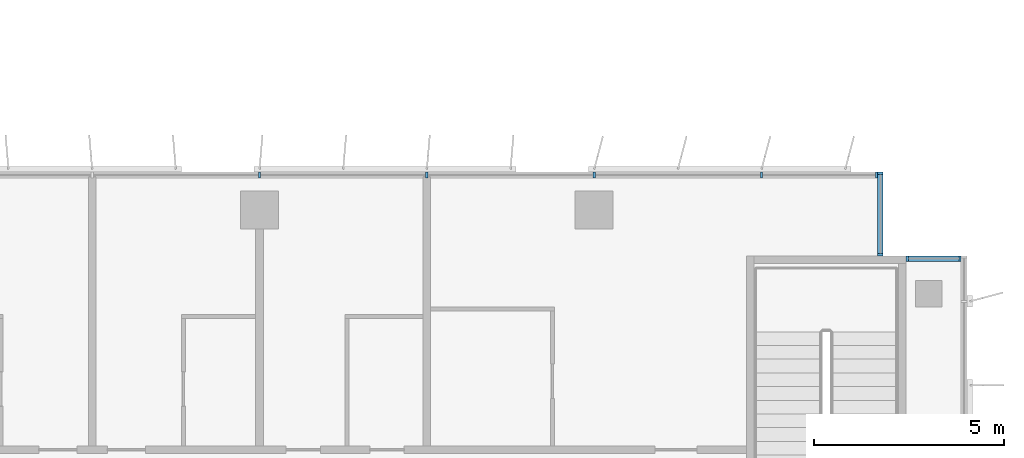
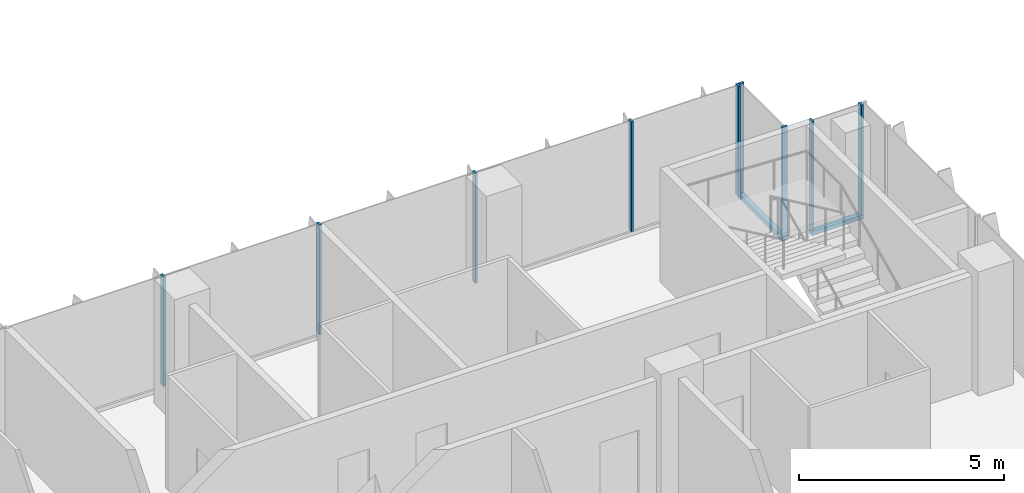
# One storey, part 4 of 21: 11 members, 3 elements without a shape of their own.
"""IFC4 building model written with IfcOpenShell, lengths in metres."""

from ifc_helpers import new_model, si_unit, direction, frame, origin, origin_2d, place, context, subcontext, project, spatial, rectangle, extrude, source, transform, mapped, material, material_profile, profile_set, type_object, element, aggregate, save


model = new_model("IFC4")

# Units and contexts
model_context = context("Model", 3, precision=1e-05, world=origin(), true_north=direction((0.0, 1.0)))
body_context = subcontext(model_context, "Body", "Model", "MODEL_VIEW")
ifc_project = project(units=[si_unit("LENGTHUNIT", "METRE"), si_unit("AREAUNIT", "SQUARE_METRE"), si_unit("VOLUMEUNIT", "CUBIC_METRE"), si_unit("PLANEANGLEUNIT", "RADIAN"), si_unit("MASSUNIT", "GRAM", prefix="KILO")], contexts=[model_context])

# Site, building, storey
site_placement = place(None, origin())
site = spatial("IfcSite", under=ifc_project, at=site_placement, CompositionType="ELEMENT")
building_placement = place(site_placement, origin())
building = spatial("IfcBuilding", under=site, at=building_placement, Name="Kemantara Hotel Tower", CompositionType="ELEMENT")
storey_placement = place(building_placement, frame((0.0, 0.0, 167.89990234375)))
storey = spatial("IfcBuildingStorey", under=building, at=storey_placement, Name="L41", CompositionType="ELEMENT", Elevation=167.89990234375)

# Curtain wall, member
ifc_material_1 = material(Name="Low-E tinted double insulated glass 36 mm", Category="glass")
curtain_wall_type = type_object("IfcCurtainWallType", Name="TOWER CURTAIN WALL, FRONT FACES", PredefinedType="USERDEFINED", material=ifc_material_1)
curtain_wall_1_placement = place(storey_placement, origin())
curtain_wall_1 = element("IfcCurtainWall", 1, at=curtain_wall_1_placement, inside=storey, type_object=curtain_wall_type, Name="CW4 L41 T3-R12-1", ObjectType="TOWER CURTAIN WALL, FRONT FACES", PredefinedType="USERDEFINED")
ifc_material_2 = material(Name="Aluminium 6063-T6 bronze anodised", Category="aluminium")
ifc_material_profile_1 = material_profile(ifc_material_2, rectangle(XDim=0.14990234375, YDim=0.1201171875, at=origin_2d()), Name="TOWER CURTAIN WALL, FRONT FACES TRANSOM")
ifc_profile_set_1 = profile_set([ifc_material_profile_1], Name="Aluminium 6063-T6 bronze anodised")
member_type_1 = type_object("IfcMemberType", Name="TOWER CURTAIN WALL, FRONT FACES TRANSOM", PredefinedType="USERDEFINED", material=ifc_profile_set_1)
member_1_placement = place(storey_placement, frame((63.449951171875, 19.72509765625, 0.06005859375), z_axis=(-1.0, 0.0, 0.0), x_axis=(0.0, -1.0, 0.0)))
member_1 = element("IfcMember", 2, at=member_1_placement, type_object=member_type_1, Name="CW4 sill transom T3-R12-1", ObjectType="TRANSOM", PredefinedType="USERDEFINED", context=body_context, shape_type="SweptSolid", body=[
    extrude(rectangle(XDim=0.14990234375, YDim=0.1201171875, at=origin_2d()), origin(), (0.0, 0.0, 1.0), 1.449951171875),
])

curtain_wall_2_placement = place(storey_placement, origin())
curtain_wall_2 = element("IfcCurtainWall", 3, at=curtain_wall_2_placement, inside=storey, type_object=curtain_wall_type, Name="CW4 L41 T3-R13-1", ObjectType="TOWER CURTAIN WALL, FRONT FACES", PredefinedType="USERDEFINED")
member_2_placement = place(storey_placement, frame((61.324951171875, 19.800048828125, 0.06005859375), z_axis=(0.0, 1.0, 0.0), x_axis=(-1.0, 0.0, 0.0)))
member_2 = element("IfcMember", 4, at=member_2_placement, type_object=member_type_1, Name="CW4 sill transom T3-R13-1", ObjectType="TRANSOM", PredefinedType="USERDEFINED", context=body_context, shape_type="SweptSolid", body=[
    extrude(rectangle(XDim=0.14990234375, YDim=0.1201171875, at=origin_2d()), origin(), (0.0, 0.0, 1.0), 2.199951171875),
])

# Curtain wall, members
curtain_wall_3_placement = place(storey_placement, origin())
curtain_wall_3 = element("IfcCurtainWall", 5, at=curtain_wall_3_placement, inside=storey, type_object=curtain_wall_type, Name="CW4 L41 T3-R14-1", ObjectType="TOWER CURTAIN WALL, FRONT FACES", PredefinedType="USERDEFINED")
ifc_material_profile_2 = material_profile(ifc_material_2, rectangle(XDim=0.14990234375, YDim=0.06005859375, at=origin_2d()), Name="TOWER CURTAIN WALL, FRONT FACES MULLION")
ifc_profile_set_2 = profile_set([ifc_material_profile_2], Name="Aluminium 6063-T6 bronze anodised")
member_type_2 = type_object("IfcMemberType", Name="TOWER CURTAIN WALL, FRONT FACES MULLION", PredefinedType="MULLION", material=ifc_profile_set_2)
shared_shape = source(origin(), body_context, "Body", "SweptSolid", [
    extrude(rectangle(XDim=0.14990234375, YDim=0.06005859375, at=origin_2d()), origin(), (0.0, 0.0, 1.0), 3.280029296875),
])
member_3_placement = place(storey_placement, frame((61.219970703125, 21.925048828125, 0.1201171875), z_axis=(0.0, 0.0, 1.0), x_axis=(0.0, -1.0, 0.0)))
member_3 = element("IfcMember", 6, at=member_3_placement, type_object=member_type_2, Name="CW4 mullion T3-R14-1.1", PredefinedType="MULLION", context=body_context, shape_type="MappedRepresentation", body=[
    mapped(shared_shape, transform((0.0, 0.0, 0.0))),
])
member_4_placement = place(storey_placement, frame((58.199951171875, 21.925048828125, 0.1201171875), z_axis=(0.0, 0.0, 1.0), x_axis=(0.0, -1.0, 0.0)))
member_4 = element("IfcMember", 7, at=member_4_placement, type_object=member_type_2, Name="CW4 mullion T3-R14-1.2", PredefinedType="MULLION", context=body_context, shape_type="MappedRepresentation", body=[
    mapped(shared_shape, transform((0.0, 0.0, 0.0))),
])
member_5_placement = place(storey_placement, frame((53.800048828125, 21.925048828125, 0.1201171875), z_axis=(0.0, 0.0, 1.0), x_axis=(0.0, -1.0, 0.0)))
member_5 = element("IfcMember", 8, at=member_5_placement, type_object=member_type_2, Name="CW4 mullion T3-R14-1.3", PredefinedType="MULLION", context=body_context, shape_type="MappedRepresentation", body=[
    mapped(shared_shape, transform((0.0, 0.0, 0.0))),
])
member_6_placement = place(storey_placement, frame((49.39990234375, 21.925048828125, 0.1201171875), z_axis=(0.0, 0.0, 1.0), x_axis=(0.0, -1.0, 0.0)))
member_6 = element("IfcMember", 9, at=member_6_placement, type_object=member_type_2, Name="CW4 mullion T3-R14-1.4", PredefinedType="MULLION", context=body_context, shape_type="MappedRepresentation", body=[
    mapped(shared_shape, transform((0.0, 0.0, 0.0))),
])
member_7_placement = place(storey_placement, frame((45.0, 21.925048828125, 0.1201171875), z_axis=(0.0, 0.0, 1.0), x_axis=(0.0, -1.0, 0.0)))
member_7 = element("IfcMember", 10, at=member_7_placement, type_object=member_type_2, Name="CW4 mullion T3-R14-1.5", PredefinedType="MULLION", context=body_context, shape_type="MappedRepresentation", body=[
    mapped(shared_shape, transform((0.0, 0.0, 0.0))),
])
aggregate(curtain_wall_3, [member_3, member_4, member_5, member_6, member_7])

# Member
member_8_placement = place(storey_placement, frame((63.419921875, 19.72509765625, 0.1201171875), z_axis=(0.0, 0.0, 1.0), x_axis=(0.0, -1.0, 0.0)))
member_8 = element("IfcMember", 11, at=member_8_placement, type_object=member_type_2, Name="CW4 mullion T3-R12-1.1", PredefinedType="MULLION", context=body_context, shape_type="MappedRepresentation", body=[
    mapped(shared_shape, transform((0.0, 0.0, 0.0))),
])

member_9_placement = place(storey_placement, frame((62.030029296875, 19.72509765625, 0.1201171875), z_axis=(0.0, 0.0, 1.0), x_axis=(0.0, -1.0, 0.0)))
member_9 = element("IfcMember", 12, at=member_9_placement, type_object=member_type_2, Name="CW4 mullion T3-R12-1.2", PredefinedType="MULLION", context=body_context, shape_type="MappedRepresentation", body=[
    mapped(shared_shape, transform((0.0, 0.0, 0.0))),
])

aggregate(curtain_wall_1, [member_1, member_8, member_9])

member_10_placement = place(storey_placement, frame((61.324951171875, 19.830078125, 0.1201171875), z_axis=(0.0, 0.0, 1.0), x_axis=(-1.0, 0.0, 0.0)))
member_10 = element("IfcMember", 13, at=member_10_placement, type_object=member_type_2, Name="CW4 mullion T3-R13-1.1", PredefinedType="MULLION", context=body_context, shape_type="MappedRepresentation", body=[
    mapped(shared_shape, transform((0.0, 0.0, 0.0))),
])

member_11_placement = place(storey_placement, frame((61.324951171875, 21.969970703125, 0.1201171875), z_axis=(0.0, 0.0, 1.0), x_axis=(-1.0, 0.0, 0.0)))
member_11 = element("IfcMember", 14, at=member_11_placement, type_object=member_type_2, Name="CW4 mullion T3-R13-1.2", PredefinedType="MULLION", context=body_context, shape_type="MappedRepresentation", body=[
    mapped(shared_shape, transform((0.0, 0.0, 0.0))),
])

aggregate(curtain_wall_2, [member_2, member_10, member_11])

save(model, "model.ifc")
